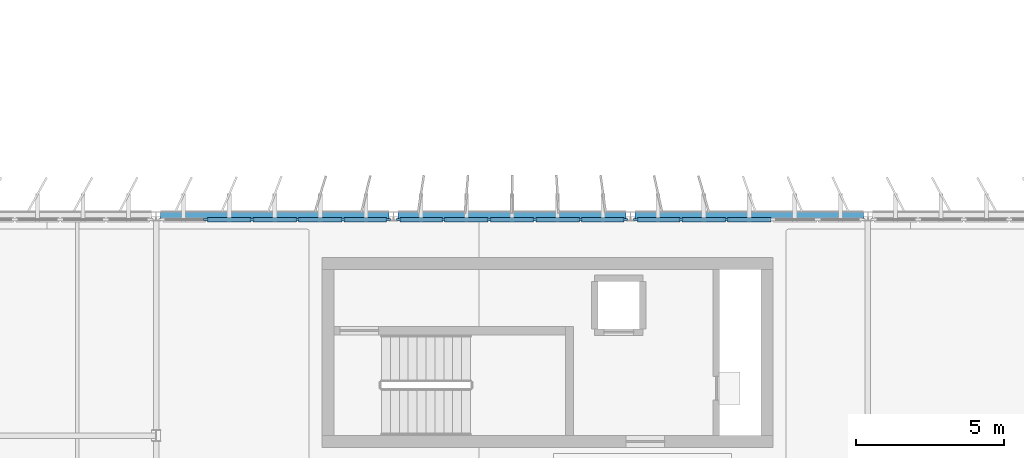
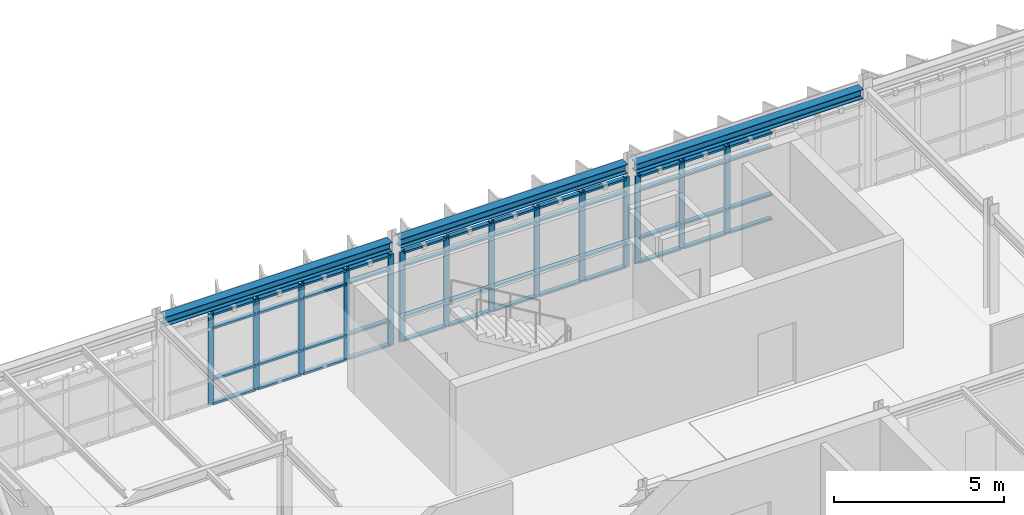
# One storey, part 11 of 35: 62 members, 3 beams, 3 elements without a shape of their own.
"""IFC4 building model written with IfcOpenShell, lengths in metres."""

from ifc_helpers import new_model, si_unit, direction, frame, origin, origin_2d, place, context, subcontext, project, spatial, rectangle, i_section, extrude, material, layer, layer_set, material_profile, profile_set, type_object, element, aggregate, save


model = new_model("IFC4")

# Units and contexts
model_context = context("Model", 3, precision=1e-05, world=origin(), true_north=direction((0.0, 1.0)))
body_context = subcontext(model_context, "Body", "Model", "MODEL_VIEW")
ifc_project = project(units=[si_unit("LENGTHUNIT", "METRE"), si_unit("AREAUNIT", "SQUARE_METRE"), si_unit("VOLUMEUNIT", "CUBIC_METRE"), si_unit("PLANEANGLEUNIT", "RADIAN"), si_unit("MASSUNIT", "GRAM", prefix="KILO")], contexts=[model_context])

# Site, building, storey
site_placement = place(None, origin())
site = spatial("IfcSite", under=ifc_project, at=site_placement, CompositionType="ELEMENT")
building_placement = place(site_placement, origin())
building = spatial("IfcBuilding", under=site, at=building_placement, Name="Valkorina Park Police Headquarters", CompositionType="ELEMENT")
storey_placement = place(building_placement, frame((0.0, 0.0, 27.199951171875)))
storey = spatial("IfcBuildingStorey", under=building, at=storey_placement, Name="L07", CompositionType="ELEMENT", Elevation=27.199951171875)

# Beams
ifc_material_1 = material(Name="Steel S355", Category="steel")
ifc_material_profile_1 = material_profile(ifc_material_1, i_section(OverallWidth=0.300048828125, OverallDepth=0.330078125, WebThickness=0.009521484375, FlangeThickness=0.0166015625, FilletRadius=0.027099609375, at=origin_2d()), Name="HEA 340")
ifc_profile_set_1 = profile_set([ifc_material_profile_1], Name="Steel S355")
beam_type = type_object("IfcBeamType", Name="BM-S355-HEA340-SPN", PredefinedType="SPANDREL", material=ifc_profile_set_1)
for number, where, z_axis, x_axis, name in (
    (1, (32.949951171875, 59.199951171875, 3.51513671875), (1.0, 0.0, 0.0), (0.0, 1.0, 0.0), "L07 Framing Beam 2748"),
    (2, (40.949951171875, 59.199951171875, 3.51513671875), (1.0, 0.0, 0.0), (0.0, 1.0, 0.0), "L07 Framing Beam 2749"),
    (3, (48.949951171875, 59.199951171875, 3.405029296875), (1.0, 0.0, 0.0), (0.0, 1.0, 0.0), "L07 Framing Beam 2750"),
):
    element("IfcBeam", number, at=place(storey_placement, frame(where, z_axis=z_axis, x_axis=x_axis)), inside=storey, type_object=beam_type, Name=name, PredefinedType="SPANDREL", context=body_context, shape_type="SweptSolid", body=[
        extrude(i_section(OverallWidth=0.300048828125, OverallDepth=0.330078125, WebThickness=0.009521484375, FlangeThickness=0.0166015625, FilletRadius=0.027099609375, at=origin_2d()), origin(), (0.0, 0.0, 1.0), 7.699951171875),
    ])

# Curtain wall, members
ifc_material_2 = material(Name="Thermally broken aluminium AW-6060", Category="aluminium")
ifc_layer_1 = layer(ifc_material_2, 0.18994140625)
ifc_layer_set_1 = layer_set([ifc_layer_1], Name="Thermally broken aluminium AW-6060")
curtain_wall_type_1 = type_object("IfcCurtainWallType", Name="CW-V5-7680x3270", PredefinedType="NOTDEFINED", material=ifc_layer_set_1)
curtain_wall_1_placement = place(storey_placement, origin())
curtain_wall_1 = element("IfcCurtainWall", 4, at=curtain_wall_1_placement, inside=storey, type_object=curtain_wall_type_1, Name="L07 Unitised Curtain Wall 149", PredefinedType="NOTDEFINED")
ifc_material_profile_2 = material_profile(ifc_material_2, rectangle(XDim=0.070068359375, YDim=0.18994140625, at=origin_2d()), Name="CWM-02 70x190")
ifc_profile_set_2 = profile_set([ifc_material_profile_2], Name="Thermally broken aluminium AW-6060")
member_type_1 = type_object("IfcMemberType", Name="CWM-70x190", PredefinedType="MULLION", material=ifc_profile_set_2)
member_1_placement = place(storey_placement, frame((34.49609375, 59.080078125, 0.0), z_axis=(0.0, 0.0, 1.0), x_axis=(0.0, 1.0, 0.0)))
member_1 = element("IfcMember", 5, at=member_1_placement, type_object=member_type_1, Name="CW-V5-768-327 mullion 2", PredefinedType="MULLION", context=body_context, shape_type="SweptSolid", body=[
    extrude(rectangle(XDim=0.070068359375, YDim=0.18994140625, at=origin_2d()), origin(), (0.0, 0.0, 1.0), 3.27001953125),
])
member_2_placement = place(storey_placement, frame((36.031982421875, 59.080078125, 0.0), z_axis=(0.0, 0.0, 1.0), x_axis=(0.0, 1.0, 0.0)))
member_2 = element("IfcMember", 6, at=member_2_placement, type_object=member_type_1, Name="CW-V5-768-327 mullion 3", PredefinedType="MULLION", context=body_context, shape_type="SweptSolid", body=[
    extrude(rectangle(XDim=0.070068359375, YDim=0.18994140625, at=origin_2d()), origin(), (0.0, 0.0, 1.0), 3.27001953125),
])
member_3_placement = place(storey_placement, frame((37.568115234375, 59.080078125, 0.0), z_axis=(0.0, 0.0, 1.0), x_axis=(0.0, 1.0, 0.0)))
member_3 = element("IfcMember", 7, at=member_3_placement, type_object=member_type_1, Name="CW-V5-768-327 mullion 4", PredefinedType="MULLION", context=body_context, shape_type="SweptSolid", body=[
    extrude(rectangle(XDim=0.070068359375, YDim=0.18994140625, at=origin_2d()), origin(), (0.0, 0.0, 1.0), 3.27001953125),
])
member_4_placement = place(storey_placement, frame((39.10400390625, 59.080078125, 0.0), z_axis=(0.0, 0.0, 1.0), x_axis=(0.0, 1.0, 0.0)))
member_4 = element("IfcMember", 8, at=member_4_placement, type_object=member_type_1, Name="CW-V5-768-327 mullion 5", PredefinedType="MULLION", context=body_context, shape_type="SweptSolid", body=[
    extrude(rectangle(XDim=0.070068359375, YDim=0.18994140625, at=origin_2d()), origin(), (0.0, 0.0, 1.0), 3.27001953125),
])
member_5_placement = place(storey_placement, frame((40.60498046875, 59.080078125, 0.0), z_axis=(0.0, 0.0, 1.0), x_axis=(0.0, 1.0, 0.0)))
member_5 = element("IfcMember", 9, at=member_5_placement, type_object=member_type_1, Name="CW-V5-768-327 mullion 6", PredefinedType="MULLION", context=body_context, shape_type="SweptSolid", body=[
    extrude(rectangle(XDim=0.070068359375, YDim=0.18994140625, at=origin_2d()), origin(), (0.0, 0.0, 1.0), 3.27001953125),
])

ifc_layer_2 = layer(ifc_material_2, 0.18994140625)
ifc_layer_set_2 = layer_set([ifc_layer_2], Name="Thermally broken aluminium AW-6060")
curtain_wall_type_2 = type_object("IfcCurtainWallType", Name="CW-V5-7680x3230", PredefinedType="NOTDEFINED", material=ifc_layer_set_2)
curtain_wall_2_placement = place(storey_placement, origin())
curtain_wall_2 = element("IfcCurtainWall", 10, at=curtain_wall_2_placement, inside=storey, type_object=curtain_wall_type_2, Name="L07 Unitised Curtain Wall 150", PredefinedType="NOTDEFINED")
member_6_placement = place(storey_placement, frame((40.9951171875, 59.080078125, 0.0), z_axis=(0.0, 0.0, 1.0), x_axis=(0.0, 1.0, 0.0)))
member_6 = element("IfcMember", 11, at=member_6_placement, type_object=member_type_1, Name="CW-V5-768-323 mullion 1", PredefinedType="MULLION", context=body_context, shape_type="SweptSolid", body=[
    extrude(rectangle(XDim=0.070068359375, YDim=0.18994140625, at=origin_2d()), origin(), (0.0, 0.0, 1.0), 3.22998046875),
])
member_7_placement = place(storey_placement, frame((42.49609375, 59.080078125, 0.0), z_axis=(0.0, 0.0, 1.0), x_axis=(0.0, 1.0, 0.0)))
member_7 = element("IfcMember", 12, at=member_7_placement, type_object=member_type_1, Name="CW-V5-768-323 mullion 2", PredefinedType="MULLION", context=body_context, shape_type="SweptSolid", body=[
    extrude(rectangle(XDim=0.070068359375, YDim=0.18994140625, at=origin_2d()), origin(), (0.0, 0.0, 1.0), 3.22998046875),
])
member_8_placement = place(storey_placement, frame((44.031982421875, 59.080078125, 0.0), z_axis=(0.0, 0.0, 1.0), x_axis=(0.0, 1.0, 0.0)))
member_8 = element("IfcMember", 13, at=member_8_placement, type_object=member_type_1, Name="CW-V5-768-323 mullion 3", PredefinedType="MULLION", context=body_context, shape_type="SweptSolid", body=[
    extrude(rectangle(XDim=0.070068359375, YDim=0.18994140625, at=origin_2d()), origin(), (0.0, 0.0, 1.0), 3.22998046875),
])
member_9_placement = place(storey_placement, frame((45.568115234375, 59.080078125, 0.0), z_axis=(0.0, 0.0, 1.0), x_axis=(0.0, 1.0, 0.0)))
member_9 = element("IfcMember", 14, at=member_9_placement, type_object=member_type_1, Name="CW-V5-768-323 mullion 4", PredefinedType="MULLION", context=body_context, shape_type="SweptSolid", body=[
    extrude(rectangle(XDim=0.070068359375, YDim=0.18994140625, at=origin_2d()), origin(), (0.0, 0.0, 1.0), 3.22998046875),
])
member_10_placement = place(storey_placement, frame((47.10400390625, 59.080078125, 0.0), z_axis=(0.0, 0.0, 1.0), x_axis=(0.0, 1.0, 0.0)))
member_10 = element("IfcMember", 15, at=member_10_placement, type_object=member_type_1, Name="CW-V5-768-323 mullion 5", PredefinedType="MULLION", context=body_context, shape_type="SweptSolid", body=[
    extrude(rectangle(XDim=0.070068359375, YDim=0.18994140625, at=origin_2d()), origin(), (0.0, 0.0, 1.0), 3.22998046875),
])
member_11_placement = place(storey_placement, frame((48.60498046875, 59.080078125, 0.0), z_axis=(0.0, 0.0, 1.0), x_axis=(0.0, 1.0, 0.0)))
member_11 = element("IfcMember", 16, at=member_11_placement, type_object=member_type_1, Name="CW-V5-768-323 mullion 6", PredefinedType="MULLION", context=body_context, shape_type="SweptSolid", body=[
    extrude(rectangle(XDim=0.070068359375, YDim=0.18994140625, at=origin_2d()), origin(), (0.0, 0.0, 1.0), 3.22998046875),
])

ifc_layer_3 = layer(ifc_material_2, 0.18994140625)
ifc_layer_set_3 = layer_set([ifc_layer_3], Name="Thermally broken aluminium AW-6060")
curtain_wall_type_3 = type_object("IfcCurtainWallType", Name="CW-V5-7680x3160", PredefinedType="NOTDEFINED", material=ifc_layer_set_3)
curtain_wall_3_placement = place(storey_placement, origin())
curtain_wall_3 = element("IfcCurtainWall", 17, at=curtain_wall_3_placement, inside=storey, type_object=curtain_wall_type_3, Name="L07 Unitised Curtain Wall 151", PredefinedType="NOTDEFINED")
member_12_placement = place(storey_placement, frame((48.9951171875, 59.080078125, 0.0), z_axis=(0.0, 0.0, 1.0), x_axis=(0.0, 1.0, 0.0)))
member_12 = element("IfcMember", 18, at=member_12_placement, type_object=member_type_1, Name="CW-V5-768-316 mullion 1", PredefinedType="MULLION", context=body_context, shape_type="SweptSolid", body=[
    extrude(rectangle(XDim=0.070068359375, YDim=0.18994140625, at=origin_2d()), origin(), (0.0, 0.0, 1.0), 3.16015625),
])
member_13_placement = place(storey_placement, frame((50.49609375, 59.080078125, 0.0), z_axis=(0.0, 0.0, 1.0), x_axis=(0.0, 1.0, 0.0)))
member_13 = element("IfcMember", 19, at=member_13_placement, type_object=member_type_1, Name="CW-V5-768-316 mullion 2", PredefinedType="MULLION", context=body_context, shape_type="SweptSolid", body=[
    extrude(rectangle(XDim=0.070068359375, YDim=0.18994140625, at=origin_2d()), origin(), (0.0, 0.0, 1.0), 3.16015625),
])
member_14_placement = place(storey_placement, frame((52.031982421875, 59.080078125, 0.0), z_axis=(0.0, 0.0, 1.0), x_axis=(0.0, 1.0, 0.0)))
member_14 = element("IfcMember", 20, at=member_14_placement, type_object=member_type_1, Name="CW-V5-768-316 mullion 3", PredefinedType="MULLION", context=body_context, shape_type="SweptSolid", body=[
    extrude(rectangle(XDim=0.070068359375, YDim=0.18994140625, at=origin_2d()), origin(), (0.0, 0.0, 1.0), 3.16015625),
])

# Member
ifc_material_profile_3 = material_profile(ifc_material_2, rectangle(XDim=0.14990234375, YDim=0.070068359375, at=origin_2d()), Name="CWT-02 150x70")
ifc_profile_set_3 = profile_set([ifc_material_profile_3], Name="Thermally broken aluminium AW-6060")
member_type_2 = type_object("IfcMemberType", Name="CWT-150x70", PredefinedType="USERDEFINED", material=ifc_profile_set_3)
member_15_placement = place(storey_placement, frame((34.531005859375, 59.080078125, 0.03515625), z_axis=(1.0, 0.0, 0.0), x_axis=(0.0, 1.0, 0.0)))
member_15 = element("IfcMember", 21, at=member_15_placement, type_object=member_type_2, Name="CW-V5-768-327 transom 2.1", ObjectType="TRANSOM", PredefinedType="USERDEFINED", context=body_context, shape_type="SweptSolid", body=[
    extrude(rectangle(XDim=0.14990234375, YDim=0.070068359375, at=origin_2d()), origin(), (0.0, 0.0, 1.0), 1.466064453125),
])

member_16_placement = place(storey_placement, frame((34.531005859375, 59.080078125, 0.900146484375), z_axis=(1.0, 0.0, 0.0), x_axis=(0.0, 1.0, 0.0)))
member_16 = element("IfcMember", 22, at=member_16_placement, type_object=member_type_2, Name="CW-V5-768-327 transom 2.2", ObjectType="TRANSOM", PredefinedType="USERDEFINED", context=body_context, shape_type="SweptSolid", body=[
    extrude(rectangle(XDim=0.14990234375, YDim=0.070068359375, at=origin_2d()), origin(), (0.0, 0.0, 1.0), 1.466064453125),
])

member_17_placement = place(storey_placement, frame((34.531005859375, 59.080078125, 2.75), z_axis=(1.0, 0.0, 0.0), x_axis=(0.0, 1.0, 0.0)))
member_17 = element("IfcMember", 23, at=member_17_placement, type_object=member_type_2, Name="CW-V5-768-327 transom 2.3", ObjectType="TRANSOM", PredefinedType="USERDEFINED", context=body_context, shape_type="SweptSolid", body=[
    extrude(rectangle(XDim=0.14990234375, YDim=0.070068359375, at=origin_2d()), origin(), (0.0, 0.0, 1.0), 1.466064453125),
])

member_18_placement = place(storey_placement, frame((34.531005859375, 59.080078125, 3.235107421875), z_axis=(1.0, 0.0, 0.0), x_axis=(0.0, 1.0, 0.0)))
member_18 = element("IfcMember", 24, at=member_18_placement, type_object=member_type_2, Name="CW-V5-768-327 transom 2.4", ObjectType="TRANSOM", PredefinedType="USERDEFINED", context=body_context, shape_type="SweptSolid", body=[
    extrude(rectangle(XDim=0.14990234375, YDim=0.070068359375, at=origin_2d()), origin(), (0.0, 0.0, 1.0), 1.466064453125),
])

member_19_placement = place(storey_placement, frame((36.06689453125, 59.080078125, 0.03515625), z_axis=(1.0, 0.0, 0.0), x_axis=(0.0, 1.0, 0.0)))
member_19 = element("IfcMember", 25, at=member_19_placement, type_object=member_type_2, Name="CW-V5-768-327 transom 3.1", ObjectType="TRANSOM", PredefinedType="USERDEFINED", context=body_context, shape_type="SweptSolid", body=[
    extrude(rectangle(XDim=0.14990234375, YDim=0.070068359375, at=origin_2d()), origin(), (0.0, 0.0, 1.0), 1.466064453125),
])

member_20_placement = place(storey_placement, frame((36.06689453125, 59.080078125, 0.900146484375), z_axis=(1.0, 0.0, 0.0), x_axis=(0.0, 1.0, 0.0)))
member_20 = element("IfcMember", 26, at=member_20_placement, type_object=member_type_2, Name="CW-V5-768-327 transom 3.2", ObjectType="TRANSOM", PredefinedType="USERDEFINED", context=body_context, shape_type="SweptSolid", body=[
    extrude(rectangle(XDim=0.14990234375, YDim=0.070068359375, at=origin_2d()), origin(), (0.0, 0.0, 1.0), 1.466064453125),
])

member_21_placement = place(storey_placement, frame((36.06689453125, 59.080078125, 2.75), z_axis=(1.0, 0.0, 0.0), x_axis=(0.0, 1.0, 0.0)))
member_21 = element("IfcMember", 27, at=member_21_placement, type_object=member_type_2, Name="CW-V5-768-327 transom 3.3", ObjectType="TRANSOM", PredefinedType="USERDEFINED", context=body_context, shape_type="SweptSolid", body=[
    extrude(rectangle(XDim=0.14990234375, YDim=0.070068359375, at=origin_2d()), origin(), (0.0, 0.0, 1.0), 1.466064453125),
])

member_22_placement = place(storey_placement, frame((36.06689453125, 59.080078125, 3.235107421875), z_axis=(1.0, 0.0, 0.0), x_axis=(0.0, 1.0, 0.0)))
member_22 = element("IfcMember", 28, at=member_22_placement, type_object=member_type_2, Name="CW-V5-768-327 transom 3.4", ObjectType="TRANSOM", PredefinedType="USERDEFINED", context=body_context, shape_type="SweptSolid", body=[
    extrude(rectangle(XDim=0.14990234375, YDim=0.070068359375, at=origin_2d()), origin(), (0.0, 0.0, 1.0), 1.466064453125),
])

member_23_placement = place(storey_placement, frame((37.60302734375, 59.080078125, 0.03515625), z_axis=(1.0, 0.0, 0.0), x_axis=(0.0, 1.0, 0.0)))
member_23 = element("IfcMember", 29, at=member_23_placement, type_object=member_type_2, Name="CW-V5-768-327 transom 4.1", ObjectType="TRANSOM", PredefinedType="USERDEFINED", context=body_context, shape_type="SweptSolid", body=[
    extrude(rectangle(XDim=0.14990234375, YDim=0.070068359375, at=origin_2d()), origin(), (0.0, 0.0, 1.0), 1.466064453125),
])

member_24_placement = place(storey_placement, frame((37.60302734375, 59.080078125, 0.900146484375), z_axis=(1.0, 0.0, 0.0), x_axis=(0.0, 1.0, 0.0)))
member_24 = element("IfcMember", 30, at=member_24_placement, type_object=member_type_2, Name="CW-V5-768-327 transom 4.2", ObjectType="TRANSOM", PredefinedType="USERDEFINED", context=body_context, shape_type="SweptSolid", body=[
    extrude(rectangle(XDim=0.14990234375, YDim=0.070068359375, at=origin_2d()), origin(), (0.0, 0.0, 1.0), 1.466064453125),
])

member_25_placement = place(storey_placement, frame((37.60302734375, 59.080078125, 2.75), z_axis=(1.0, 0.0, 0.0), x_axis=(0.0, 1.0, 0.0)))
member_25 = element("IfcMember", 31, at=member_25_placement, type_object=member_type_2, Name="CW-V5-768-327 transom 4.3", ObjectType="TRANSOM", PredefinedType="USERDEFINED", context=body_context, shape_type="SweptSolid", body=[
    extrude(rectangle(XDim=0.14990234375, YDim=0.070068359375, at=origin_2d()), origin(), (0.0, 0.0, 1.0), 1.466064453125),
])

member_26_placement = place(storey_placement, frame((37.60302734375, 59.080078125, 3.235107421875), z_axis=(1.0, 0.0, 0.0), x_axis=(0.0, 1.0, 0.0)))
member_26 = element("IfcMember", 32, at=member_26_placement, type_object=member_type_2, Name="CW-V5-768-327 transom 4.4", ObjectType="TRANSOM", PredefinedType="USERDEFINED", context=body_context, shape_type="SweptSolid", body=[
    extrude(rectangle(XDim=0.14990234375, YDim=0.070068359375, at=origin_2d()), origin(), (0.0, 0.0, 1.0), 1.466064453125),
])

member_27_placement = place(storey_placement, frame((39.138916015625, 59.080078125, 0.03515625), z_axis=(1.0, 0.0, 0.0), x_axis=(0.0, 1.0, 0.0)))
member_27 = element("IfcMember", 33, at=member_27_placement, type_object=member_type_2, Name="CW-V5-768-327 transom 5.1", ObjectType="TRANSOM", PredefinedType="USERDEFINED", context=body_context, shape_type="SweptSolid", body=[
    extrude(rectangle(XDim=0.14990234375, YDim=0.070068359375, at=origin_2d()), origin(), (0.0, 0.0, 1.0), 1.43115234375),
])

member_28_placement = place(storey_placement, frame((39.138916015625, 59.080078125, 0.900146484375), z_axis=(1.0, 0.0, 0.0), x_axis=(0.0, 1.0, 0.0)))
member_28 = element("IfcMember", 34, at=member_28_placement, type_object=member_type_2, Name="CW-V5-768-327 transom 5.2", ObjectType="TRANSOM", PredefinedType="USERDEFINED", context=body_context, shape_type="SweptSolid", body=[
    extrude(rectangle(XDim=0.14990234375, YDim=0.070068359375, at=origin_2d()), origin(), (0.0, 0.0, 1.0), 1.43115234375),
])

member_29_placement = place(storey_placement, frame((39.138916015625, 59.080078125, 2.75), z_axis=(1.0, 0.0, 0.0), x_axis=(0.0, 1.0, 0.0)))
member_29 = element("IfcMember", 35, at=member_29_placement, type_object=member_type_2, Name="CW-V5-768-327 transom 5.3", ObjectType="TRANSOM", PredefinedType="USERDEFINED", context=body_context, shape_type="SweptSolid", body=[
    extrude(rectangle(XDim=0.14990234375, YDim=0.070068359375, at=origin_2d()), origin(), (0.0, 0.0, 1.0), 1.43115234375),
])

member_30_placement = place(storey_placement, frame((39.138916015625, 59.080078125, 3.235107421875), z_axis=(1.0, 0.0, 0.0), x_axis=(0.0, 1.0, 0.0)))
member_30 = element("IfcMember", 36, at=member_30_placement, type_object=member_type_2, Name="CW-V5-768-327 transom 5.4", ObjectType="TRANSOM", PredefinedType="USERDEFINED", context=body_context, shape_type="SweptSolid", body=[
    extrude(rectangle(XDim=0.14990234375, YDim=0.070068359375, at=origin_2d()), origin(), (0.0, 0.0, 1.0), 1.43115234375),
])

aggregate(curtain_wall_1, [member_1, member_2, member_3, member_4, member_5, member_15, member_16, member_17, member_18, member_19, member_20, member_21, member_22, member_23, member_24, member_25, member_26, member_27, member_28, member_29, member_30])

member_31_placement = place(storey_placement, frame((41.030029296875, 59.080078125, 0.03515625), z_axis=(1.0, 0.0, 0.0), x_axis=(0.0, 1.0, 0.0)))
member_31 = element("IfcMember", 37, at=member_31_placement, type_object=member_type_2, Name="CW-V5-768-323 transom 1.1", ObjectType="TRANSOM", PredefinedType="USERDEFINED", context=body_context, shape_type="SweptSolid", body=[
    extrude(rectangle(XDim=0.14990234375, YDim=0.070068359375, at=origin_2d()), origin(), (0.0, 0.0, 1.0), 1.430908203125),
])

member_32_placement = place(storey_placement, frame((41.030029296875, 59.080078125, 0.900146484375), z_axis=(1.0, 0.0, 0.0), x_axis=(0.0, 1.0, 0.0)))
member_32 = element("IfcMember", 38, at=member_32_placement, type_object=member_type_2, Name="CW-V5-768-323 transom 1.2", ObjectType="TRANSOM", PredefinedType="USERDEFINED", context=body_context, shape_type="SweptSolid", body=[
    extrude(rectangle(XDim=0.14990234375, YDim=0.070068359375, at=origin_2d()), origin(), (0.0, 0.0, 1.0), 1.430908203125),
])

member_33_placement = place(storey_placement, frame((41.030029296875, 59.080078125, 2.7099609375), z_axis=(1.0, 0.0, 0.0), x_axis=(0.0, 1.0, 0.0)))
member_33 = element("IfcMember", 39, at=member_33_placement, type_object=member_type_2, Name="CW-V5-768-323 transom 1.3", ObjectType="TRANSOM", PredefinedType="USERDEFINED", context=body_context, shape_type="SweptSolid", body=[
    extrude(rectangle(XDim=0.14990234375, YDim=0.070068359375, at=origin_2d()), origin(), (0.0, 0.0, 1.0), 1.430908203125),
])

member_34_placement = place(storey_placement, frame((41.030029296875, 59.080078125, 3.195068359375), z_axis=(1.0, 0.0, 0.0), x_axis=(0.0, 1.0, 0.0)))
member_34 = element("IfcMember", 40, at=member_34_placement, type_object=member_type_2, Name="CW-V5-768-323 transom 1.4", ObjectType="TRANSOM", PredefinedType="USERDEFINED", context=body_context, shape_type="SweptSolid", body=[
    extrude(rectangle(XDim=0.14990234375, YDim=0.070068359375, at=origin_2d()), origin(), (0.0, 0.0, 1.0), 1.430908203125),
])

member_35_placement = place(storey_placement, frame((42.531005859375, 59.080078125, 0.03515625), z_axis=(1.0, 0.0, 0.0), x_axis=(0.0, 1.0, 0.0)))
member_35 = element("IfcMember", 41, at=member_35_placement, type_object=member_type_2, Name="CW-V5-768-323 transom 2.1", ObjectType="TRANSOM", PredefinedType="USERDEFINED", context=body_context, shape_type="SweptSolid", body=[
    extrude(rectangle(XDim=0.14990234375, YDim=0.070068359375, at=origin_2d()), origin(), (0.0, 0.0, 1.0), 1.466064453125),
])

member_36_placement = place(storey_placement, frame((42.531005859375, 59.080078125, 0.900146484375), z_axis=(1.0, 0.0, 0.0), x_axis=(0.0, 1.0, 0.0)))
member_36 = element("IfcMember", 42, at=member_36_placement, type_object=member_type_2, Name="CW-V5-768-323 transom 2.2", ObjectType="TRANSOM", PredefinedType="USERDEFINED", context=body_context, shape_type="SweptSolid", body=[
    extrude(rectangle(XDim=0.14990234375, YDim=0.070068359375, at=origin_2d()), origin(), (0.0, 0.0, 1.0), 1.466064453125),
])

member_37_placement = place(storey_placement, frame((42.531005859375, 59.080078125, 2.7099609375), z_axis=(1.0, 0.0, 0.0), x_axis=(0.0, 1.0, 0.0)))
member_37 = element("IfcMember", 43, at=member_37_placement, type_object=member_type_2, Name="CW-V5-768-323 transom 2.3", ObjectType="TRANSOM", PredefinedType="USERDEFINED", context=body_context, shape_type="SweptSolid", body=[
    extrude(rectangle(XDim=0.14990234375, YDim=0.070068359375, at=origin_2d()), origin(), (0.0, 0.0, 1.0), 1.466064453125),
])

member_38_placement = place(storey_placement, frame((42.531005859375, 59.080078125, 3.195068359375), z_axis=(1.0, 0.0, 0.0), x_axis=(0.0, 1.0, 0.0)))
member_38 = element("IfcMember", 44, at=member_38_placement, type_object=member_type_2, Name="CW-V5-768-323 transom 2.4", ObjectType="TRANSOM", PredefinedType="USERDEFINED", context=body_context, shape_type="SweptSolid", body=[
    extrude(rectangle(XDim=0.14990234375, YDim=0.070068359375, at=origin_2d()), origin(), (0.0, 0.0, 1.0), 1.466064453125),
])

member_39_placement = place(storey_placement, frame((44.06689453125, 59.080078125, 0.03515625), z_axis=(1.0, 0.0, 0.0), x_axis=(0.0, 1.0, 0.0)))
member_39 = element("IfcMember", 45, at=member_39_placement, type_object=member_type_2, Name="CW-V5-768-323 transom 3.1", ObjectType="TRANSOM", PredefinedType="USERDEFINED", context=body_context, shape_type="SweptSolid", body=[
    extrude(rectangle(XDim=0.14990234375, YDim=0.070068359375, at=origin_2d()), origin(), (0.0, 0.0, 1.0), 1.466064453125),
])

member_40_placement = place(storey_placement, frame((44.06689453125, 59.080078125, 0.900146484375), z_axis=(1.0, 0.0, 0.0), x_axis=(0.0, 1.0, 0.0)))
member_40 = element("IfcMember", 46, at=member_40_placement, type_object=member_type_2, Name="CW-V5-768-323 transom 3.2", ObjectType="TRANSOM", PredefinedType="USERDEFINED", context=body_context, shape_type="SweptSolid", body=[
    extrude(rectangle(XDim=0.14990234375, YDim=0.070068359375, at=origin_2d()), origin(), (0.0, 0.0, 1.0), 1.466064453125),
])

member_41_placement = place(storey_placement, frame((44.06689453125, 59.080078125, 2.7099609375), z_axis=(1.0, 0.0, 0.0), x_axis=(0.0, 1.0, 0.0)))
member_41 = element("IfcMember", 47, at=member_41_placement, type_object=member_type_2, Name="CW-V5-768-323 transom 3.3", ObjectType="TRANSOM", PredefinedType="USERDEFINED", context=body_context, shape_type="SweptSolid", body=[
    extrude(rectangle(XDim=0.14990234375, YDim=0.070068359375, at=origin_2d()), origin(), (0.0, 0.0, 1.0), 1.466064453125),
])

member_42_placement = place(storey_placement, frame((44.06689453125, 59.080078125, 3.195068359375), z_axis=(1.0, 0.0, 0.0), x_axis=(0.0, 1.0, 0.0)))
member_42 = element("IfcMember", 48, at=member_42_placement, type_object=member_type_2, Name="CW-V5-768-323 transom 3.4", ObjectType="TRANSOM", PredefinedType="USERDEFINED", context=body_context, shape_type="SweptSolid", body=[
    extrude(rectangle(XDim=0.14990234375, YDim=0.070068359375, at=origin_2d()), origin(), (0.0, 0.0, 1.0), 1.466064453125),
])

member_43_placement = place(storey_placement, frame((45.60302734375, 59.080078125, 0.03515625), z_axis=(1.0, 0.0, 0.0), x_axis=(0.0, 1.0, 0.0)))
member_43 = element("IfcMember", 49, at=member_43_placement, type_object=member_type_2, Name="CW-V5-768-323 transom 4.1", ObjectType="TRANSOM", PredefinedType="USERDEFINED", context=body_context, shape_type="SweptSolid", body=[
    extrude(rectangle(XDim=0.14990234375, YDim=0.070068359375, at=origin_2d()), origin(), (0.0, 0.0, 1.0), 1.466064453125),
])

member_44_placement = place(storey_placement, frame((45.60302734375, 59.080078125, 0.900146484375), z_axis=(1.0, 0.0, 0.0), x_axis=(0.0, 1.0, 0.0)))
member_44 = element("IfcMember", 50, at=member_44_placement, type_object=member_type_2, Name="CW-V5-768-323 transom 4.2", ObjectType="TRANSOM", PredefinedType="USERDEFINED", context=body_context, shape_type="SweptSolid", body=[
    extrude(rectangle(XDim=0.14990234375, YDim=0.070068359375, at=origin_2d()), origin(), (0.0, 0.0, 1.0), 1.466064453125),
])

member_45_placement = place(storey_placement, frame((45.60302734375, 59.080078125, 2.7099609375), z_axis=(1.0, 0.0, 0.0), x_axis=(0.0, 1.0, 0.0)))
member_45 = element("IfcMember", 51, at=member_45_placement, type_object=member_type_2, Name="CW-V5-768-323 transom 4.3", ObjectType="TRANSOM", PredefinedType="USERDEFINED", context=body_context, shape_type="SweptSolid", body=[
    extrude(rectangle(XDim=0.14990234375, YDim=0.070068359375, at=origin_2d()), origin(), (0.0, 0.0, 1.0), 1.466064453125),
])

member_46_placement = place(storey_placement, frame((45.60302734375, 59.080078125, 3.195068359375), z_axis=(1.0, 0.0, 0.0), x_axis=(0.0, 1.0, 0.0)))
member_46 = element("IfcMember", 52, at=member_46_placement, type_object=member_type_2, Name="CW-V5-768-323 transom 4.4", ObjectType="TRANSOM", PredefinedType="USERDEFINED", context=body_context, shape_type="SweptSolid", body=[
    extrude(rectangle(XDim=0.14990234375, YDim=0.070068359375, at=origin_2d()), origin(), (0.0, 0.0, 1.0), 1.466064453125),
])

member_47_placement = place(storey_placement, frame((47.138916015625, 59.080078125, 0.03515625), z_axis=(1.0, 0.0, 0.0), x_axis=(0.0, 1.0, 0.0)))
member_47 = element("IfcMember", 53, at=member_47_placement, type_object=member_type_2, Name="CW-V5-768-323 transom 5.1", ObjectType="TRANSOM", PredefinedType="USERDEFINED", context=body_context, shape_type="SweptSolid", body=[
    extrude(rectangle(XDim=0.14990234375, YDim=0.070068359375, at=origin_2d()), origin(), (0.0, 0.0, 1.0), 1.43115234375),
])

member_48_placement = place(storey_placement, frame((47.138916015625, 59.080078125, 0.900146484375), z_axis=(1.0, 0.0, 0.0), x_axis=(0.0, 1.0, 0.0)))
member_48 = element("IfcMember", 54, at=member_48_placement, type_object=member_type_2, Name="CW-V5-768-323 transom 5.2", ObjectType="TRANSOM", PredefinedType="USERDEFINED", context=body_context, shape_type="SweptSolid", body=[
    extrude(rectangle(XDim=0.14990234375, YDim=0.070068359375, at=origin_2d()), origin(), (0.0, 0.0, 1.0), 1.43115234375),
])

member_49_placement = place(storey_placement, frame((47.138916015625, 59.080078125, 2.7099609375), z_axis=(1.0, 0.0, 0.0), x_axis=(0.0, 1.0, 0.0)))
member_49 = element("IfcMember", 55, at=member_49_placement, type_object=member_type_2, Name="CW-V5-768-323 transom 5.3", ObjectType="TRANSOM", PredefinedType="USERDEFINED", context=body_context, shape_type="SweptSolid", body=[
    extrude(rectangle(XDim=0.14990234375, YDim=0.070068359375, at=origin_2d()), origin(), (0.0, 0.0, 1.0), 1.43115234375),
])

member_50_placement = place(storey_placement, frame((47.138916015625, 59.080078125, 3.195068359375), z_axis=(1.0, 0.0, 0.0), x_axis=(0.0, 1.0, 0.0)))
member_50 = element("IfcMember", 56, at=member_50_placement, type_object=member_type_2, Name="CW-V5-768-323 transom 5.4", ObjectType="TRANSOM", PredefinedType="USERDEFINED", context=body_context, shape_type="SweptSolid", body=[
    extrude(rectangle(XDim=0.14990234375, YDim=0.070068359375, at=origin_2d()), origin(), (0.0, 0.0, 1.0), 1.43115234375),
])

aggregate(curtain_wall_2, [member_6, member_7, member_8, member_9, member_10, member_11, member_31, member_32, member_33, member_34, member_35, member_36, member_37, member_38, member_39, member_40, member_41, member_42, member_43, member_44, member_45, member_46, member_47, member_48, member_49, member_50])

member_51_placement = place(storey_placement, frame((49.030029296875, 59.080078125, 0.03515625), z_axis=(1.0, 0.0, 0.0), x_axis=(0.0, 1.0, 0.0)))
member_51 = element("IfcMember", 57, at=member_51_placement, type_object=member_type_2, Name="CW-V5-768-316 transom 1.1", ObjectType="TRANSOM", PredefinedType="USERDEFINED", context=body_context, shape_type="SweptSolid", body=[
    extrude(rectangle(XDim=0.14990234375, YDim=0.070068359375, at=origin_2d()), origin(), (0.0, 0.0, 1.0), 1.430908203125),
])

member_52_placement = place(storey_placement, frame((49.030029296875, 59.080078125, 0.900146484375), z_axis=(1.0, 0.0, 0.0), x_axis=(0.0, 1.0, 0.0)))
member_52 = element("IfcMember", 58, at=member_52_placement, type_object=member_type_2, Name="CW-V5-768-316 transom 1.2", ObjectType="TRANSOM", PredefinedType="USERDEFINED", context=body_context, shape_type="SweptSolid", body=[
    extrude(rectangle(XDim=0.14990234375, YDim=0.070068359375, at=origin_2d()), origin(), (0.0, 0.0, 1.0), 1.430908203125),
])

member_53_placement = place(storey_placement, frame((49.030029296875, 59.080078125, 2.64013671875), z_axis=(1.0, 0.0, 0.0), x_axis=(0.0, 1.0, 0.0)))
member_53 = element("IfcMember", 59, at=member_53_placement, type_object=member_type_2, Name="CW-V5-768-316 transom 1.3", ObjectType="TRANSOM", PredefinedType="USERDEFINED", context=body_context, shape_type="SweptSolid", body=[
    extrude(rectangle(XDim=0.14990234375, YDim=0.070068359375, at=origin_2d()), origin(), (0.0, 0.0, 1.0), 1.430908203125),
])

member_54_placement = place(storey_placement, frame((49.030029296875, 59.080078125, 3.125), z_axis=(1.0, 0.0, 0.0), x_axis=(0.0, 1.0, 0.0)))
member_54 = element("IfcMember", 60, at=member_54_placement, type_object=member_type_2, Name="CW-V5-768-316 transom 1.4", ObjectType="TRANSOM", PredefinedType="USERDEFINED", context=body_context, shape_type="SweptSolid", body=[
    extrude(rectangle(XDim=0.14990234375, YDim=0.070068359375, at=origin_2d()), origin(), (0.0, 0.0, 1.0), 1.430908203125),
])

member_55_placement = place(storey_placement, frame((50.531005859375, 59.080078125, 0.03515625), z_axis=(1.0, 0.0, 0.0), x_axis=(0.0, 1.0, 0.0)))
member_55 = element("IfcMember", 61, at=member_55_placement, type_object=member_type_2, Name="CW-V5-768-316 transom 2.1", ObjectType="TRANSOM", PredefinedType="USERDEFINED", context=body_context, shape_type="SweptSolid", body=[
    extrude(rectangle(XDim=0.14990234375, YDim=0.070068359375, at=origin_2d()), origin(), (0.0, 0.0, 1.0), 1.466064453125),
])

member_56_placement = place(storey_placement, frame((50.531005859375, 59.080078125, 0.900146484375), z_axis=(1.0, 0.0, 0.0), x_axis=(0.0, 1.0, 0.0)))
member_56 = element("IfcMember", 62, at=member_56_placement, type_object=member_type_2, Name="CW-V5-768-316 transom 2.2", ObjectType="TRANSOM", PredefinedType="USERDEFINED", context=body_context, shape_type="SweptSolid", body=[
    extrude(rectangle(XDim=0.14990234375, YDim=0.070068359375, at=origin_2d()), origin(), (0.0, 0.0, 1.0), 1.466064453125),
])

member_57_placement = place(storey_placement, frame((50.531005859375, 59.080078125, 2.64013671875), z_axis=(1.0, 0.0, 0.0), x_axis=(0.0, 1.0, 0.0)))
member_57 = element("IfcMember", 63, at=member_57_placement, type_object=member_type_2, Name="CW-V5-768-316 transom 2.3", ObjectType="TRANSOM", PredefinedType="USERDEFINED", context=body_context, shape_type="SweptSolid", body=[
    extrude(rectangle(XDim=0.14990234375, YDim=0.070068359375, at=origin_2d()), origin(), (0.0, 0.0, 1.0), 1.466064453125),
])

member_58_placement = place(storey_placement, frame((50.531005859375, 59.080078125, 3.125), z_axis=(1.0, 0.0, 0.0), x_axis=(0.0, 1.0, 0.0)))
member_58 = element("IfcMember", 64, at=member_58_placement, type_object=member_type_2, Name="CW-V5-768-316 transom 2.4", ObjectType="TRANSOM", PredefinedType="USERDEFINED", context=body_context, shape_type="SweptSolid", body=[
    extrude(rectangle(XDim=0.14990234375, YDim=0.070068359375, at=origin_2d()), origin(), (0.0, 0.0, 1.0), 1.466064453125),
])

member_59_placement = place(storey_placement, frame((52.06689453125, 59.080078125, 0.03515625), z_axis=(1.0, 0.0, 0.0), x_axis=(0.0, 1.0, 0.0)))
member_59 = element("IfcMember", 65, at=member_59_placement, type_object=member_type_2, Name="CW-V5-768-316 transom 3.1", ObjectType="TRANSOM", PredefinedType="USERDEFINED", context=body_context, shape_type="SweptSolid", body=[
    extrude(rectangle(XDim=0.14990234375, YDim=0.070068359375, at=origin_2d()), origin(), (0.0, 0.0, 1.0), 1.466064453125),
])

member_60_placement = place(storey_placement, frame((52.06689453125, 59.080078125, 0.900146484375), z_axis=(1.0, 0.0, 0.0), x_axis=(0.0, 1.0, 0.0)))
member_60 = element("IfcMember", 66, at=member_60_placement, type_object=member_type_2, Name="CW-V5-768-316 transom 3.2", ObjectType="TRANSOM", PredefinedType="USERDEFINED", context=body_context, shape_type="SweptSolid", body=[
    extrude(rectangle(XDim=0.14990234375, YDim=0.070068359375, at=origin_2d()), origin(), (0.0, 0.0, 1.0), 1.466064453125),
])

member_61_placement = place(storey_placement, frame((52.06689453125, 59.080078125, 2.64013671875), z_axis=(1.0, 0.0, 0.0), x_axis=(0.0, 1.0, 0.0)))
member_61 = element("IfcMember", 67, at=member_61_placement, type_object=member_type_2, Name="CW-V5-768-316 transom 3.3", ObjectType="TRANSOM", PredefinedType="USERDEFINED", context=body_context, shape_type="SweptSolid", body=[
    extrude(rectangle(XDim=0.14990234375, YDim=0.070068359375, at=origin_2d()), origin(), (0.0, 0.0, 1.0), 1.466064453125),
])

member_62_placement = place(storey_placement, frame((52.06689453125, 59.080078125, 3.125), z_axis=(1.0, 0.0, 0.0), x_axis=(0.0, 1.0, 0.0)))
member_62 = element("IfcMember", 68, at=member_62_placement, type_object=member_type_2, Name="CW-V5-768-316 transom 3.4", ObjectType="TRANSOM", PredefinedType="USERDEFINED", context=body_context, shape_type="SweptSolid", body=[
    extrude(rectangle(XDim=0.14990234375, YDim=0.070068359375, at=origin_2d()), origin(), (0.0, 0.0, 1.0), 1.466064453125),
])

aggregate(curtain_wall_3, [member_12, member_13, member_14, member_51, member_52, member_53, member_54, member_55, member_56, member_57, member_58, member_59, member_60, member_61, member_62])

save(model, "model.ifc")
